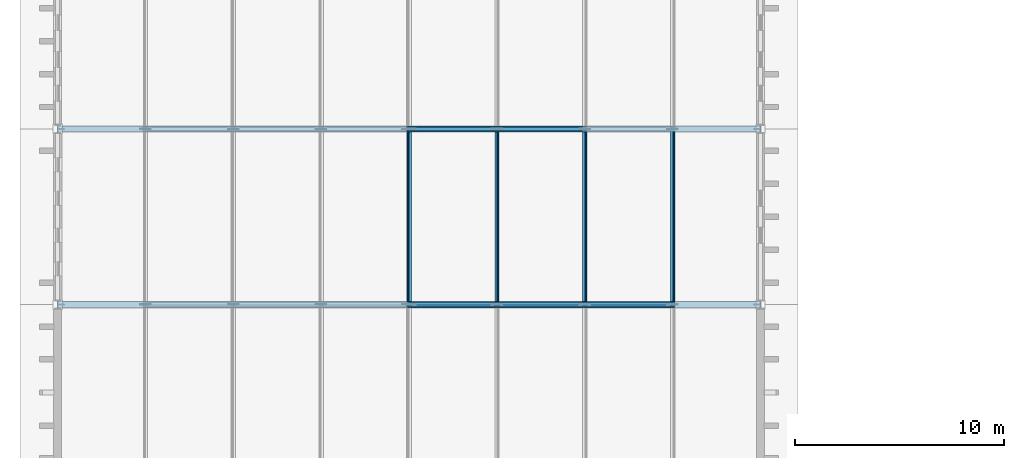
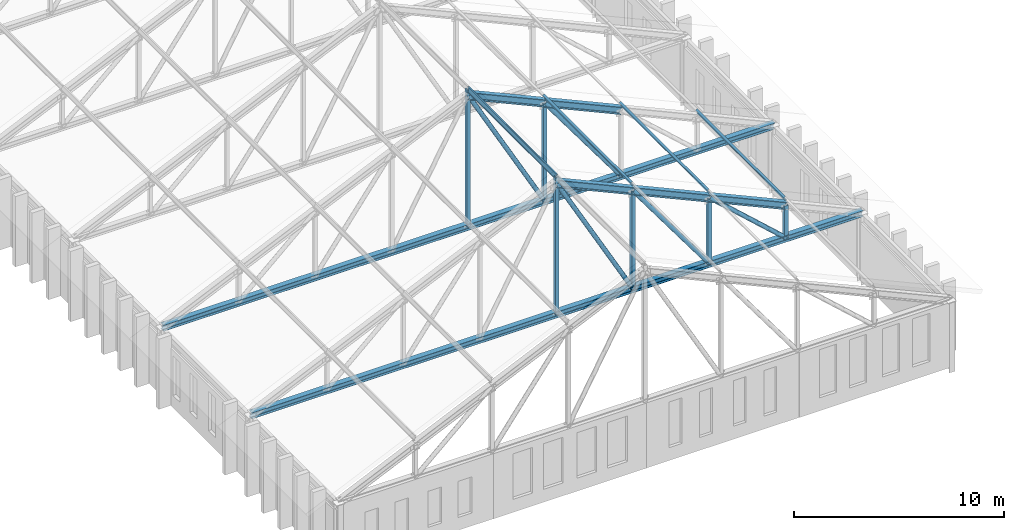
# One storey, part 8 of 110: 22 members.
"""IFC4 building model written with IfcOpenShell, lengths in metres."""

from ifc_helpers import new_model, si_unit, direction, frame, origin, origin_2d, place, context, subcontext, project, spatial, hollow_rectangle, hollow_circle, i_section, extrude, material, material_profile, profile_set, type_object, element, save


model = new_model("IFC4")

# Units and contexts
model_context = context("Model", 3, precision=1e-05, world=origin(), true_north=direction((0.0, 1.0)))
body_context = subcontext(model_context, "Body", "Model", "MODEL_VIEW")
ifc_project = project(units=[si_unit("LENGTHUNIT", "METRE"), si_unit("AREAUNIT", "SQUARE_METRE"), si_unit("VOLUMEUNIT", "CUBIC_METRE"), si_unit("PLANEANGLEUNIT", "RADIAN"), si_unit("MASSUNIT", "GRAM", prefix="KILO")], contexts=[model_context])

# Site, building, storey
site_placement = place(None, origin())
site = spatial("IfcSite", under=ifc_project, at=site_placement, CompositionType="ELEMENT")
building_placement = place(site_placement, origin())
building = spatial("IfcBuilding", under=site, at=building_placement, Name="Kveldsbrygga Polytechnic", CompositionType="ELEMENT")
storey_placement = place(building_placement, frame((0.0, 0.0, 9.860107421875)))
storey = spatial("IfcBuildingStorey", under=building, at=storey_placement, Name="L02", CompositionType="ELEMENT", Elevation=9.860107421875)

# Members
ifc_material = material(Name="Steel S355", Category="steel")
ifc_material_profile_1 = material_profile(ifc_material, i_section(OverallWidth=0.1201171875, OverallDepth=0.239990234375, WebThickness=0.006103515625, FlangeThickness=0.009765625, FilletRadius=0.014892578125, at=origin_2d()), Name="IPE 240")
ifc_profile_set_1 = profile_set([ifc_material_profile_1], Name="Steel S355")
member_type_1 = type_object("IfcMemberType", Name="PRL-IPE240", PredefinedType="PURLIN", material=ifc_profile_set_1)
for number, where, z_axis, x_axis, name in (
    (1, (16.800048828125, 33.60009765625, 11.731201171875), (0.0, 1.0, 0.0), (-0.911107850446, 0.0, 0.41216802988), "Roof Purlin V1W-PRL-2-4"),
    (2, (21.0, 33.60009765625, 9.8310546875), (0.0, 1.0, 0.0), (-0.911107850446, 0.0, -0.41216802988), "Roof Purlin V1W-PRL-2-5"),
    (3, (25.199951171875, 33.60009765625, 7.93115234375), (0.0, 1.0, 0.0), (-0.911107850446, 0.0, -0.41216802988), "Roof Purlin V1W-PRL-2-6"),
    (4, (29.39990234375, 33.60009765625, 6.031005859375), (0.0, 1.0, 0.0), (-0.911107850446, 0.0, -0.41216802988), "Roof Purlin V1W-PRL-2-7"),
):
    element("IfcMember", number, at=place(storey_placement, frame(where, z_axis=z_axis, x_axis=x_axis)), inside=storey, type_object=member_type_1, Name=name, PredefinedType="PURLIN", context=body_context, shape_type="SweptSolid", body=[
        extrude(i_section(OverallWidth=0.1201171875, OverallDepth=0.239990234375, WebThickness=0.006103515625, FlangeThickness=0.009765625, FilletRadius=0.014892578125, at=origin_2d()), origin(), (0.0, 0.0, 1.0), 8.39990234375),
    ])
ifc_material_profile_2 = material_profile(ifc_material, i_section(OverallWidth=0.300048828125, OverallDepth=0.35009765625, WebThickness=0.010009765625, FlangeThickness=0.017578125, FilletRadius=0.027099609375, at=origin_2d()), Name="HEA 360")
ifc_profile_set_2 = profile_set([ifc_material_profile_2], Name="Steel S355")
member_type_2 = type_object("IfcMemberType", Name="TR-BOT-HEA360", PredefinedType="CHORD", material=ifc_profile_set_2)
for number, where, z_axis, x_axis, name in (
    (5, (0.0, 33.60009765625, 3.77978515625), (1.0, 0.0, 0.0), (0.0, 1.0, 0.0), "Truss Bottom Chord V1W-T02-BC-1"),
    (6, (0.0, 42.0, 3.77978515625), (1.0, 0.0, 0.0), (0.0, 1.0, 0.0), "Truss Bottom Chord V1W-T03-BC-1"),
):
    element("IfcMember", number, at=place(storey_placement, frame(where, z_axis=z_axis, x_axis=x_axis)), inside=storey, type_object=member_type_2, Name=name, PredefinedType="CHORD", context=body_context, shape_type="SweptSolid", body=[
        extrude(i_section(OverallWidth=0.300048828125, OverallDepth=0.35009765625, WebThickness=0.010009765625, FlangeThickness=0.017578125, FilletRadius=0.027099609375, at=origin_2d()), origin(), (0.0, 0.0, 1.0), 33.60009765625),
    ])
ifc_material_profile_3 = material_profile(ifc_material, hollow_circle(Radius=0.122314453125, WallThickness=0.012451171875, at=origin_2d()), Name="CHS 244.5x12.5")
ifc_profile_set_3 = profile_set([ifc_material_profile_3], Name="Steel S355")
member_type_3 = type_object("IfcMemberType", Name="TR-DIAG-CHS245", PredefinedType="BRACE", material=ifc_profile_set_3)
member_1_placement = place(storey_placement, frame((16.800048828125, 33.60009765625, 11.3798828125), z_axis=(0.483677042996, 0.0, -0.875246547025), x_axis=(0.0, 1.0, 0.0)))
element("IfcMember", 7, at=member_1_placement, inside=storey, type_object=member_type_3, Name="Truss Diagonal V1W-T02-DG-5", PredefinedType="BRACE", context=body_context, shape_type="SweptSolid", body=[
    extrude(hollow_circle(Radius=0.122314453125, WallThickness=0.012451171875, at=origin_2d()), origin(), (0.0, 0.0, 1.0), 8.683349609375),
])
member_2_placement = place(storey_placement, frame((21.0, 33.60009765625, 9.47998046875), z_axis=(0.593181394885, 0.0, -0.805068837282), x_axis=(0.0, 1.0, 0.0)))
element("IfcMember", 8, at=member_2_placement, inside=storey, type_object=member_type_3, Name="Truss Diagonal V1W-T02-DG-6", PredefinedType="BRACE", context=body_context, shape_type="SweptSolid", body=[
    extrude(hollow_circle(Radius=0.122314453125, WallThickness=0.012451171875, at=origin_2d()), origin(), (0.0, 0.0, 1.0), 7.080322265625),
])
member_3_placement = place(storey_placement, frame((25.199951171875, 33.60009765625, 7.579833984375), z_axis=(0.741527609628, 0.0, -0.670922353302), x_axis=(0.0, 1.0, 0.0)))
element("IfcMember", 9, at=member_3_placement, inside=storey, type_object=member_type_3, Name="Truss Diagonal V1W-T02-DG-7", PredefinedType="BRACE", context=body_context, shape_type="SweptSolid", body=[
    extrude(hollow_circle(Radius=0.122314453125, WallThickness=0.012451171875, at=origin_2d()), origin(), (0.0, 0.0, 1.0), 5.663818359375),
])
member_4_placement = place(storey_placement, frame((16.800048828125, 42.0, 11.3798828125), z_axis=(0.483677042996, 0.0, -0.875246547025), x_axis=(0.0, 1.0, 0.0)))
element("IfcMember", 10, at=member_4_placement, inside=storey, type_object=member_type_3, Name="Truss Diagonal V1W-T03-DG-5", PredefinedType="BRACE", context=body_context, shape_type="SweptSolid", body=[
    extrude(hollow_circle(Radius=0.122314453125, WallThickness=0.012451171875, at=origin_2d()), origin(), (0.0, 0.0, 1.0), 8.683349609375),
])
member_5_placement = place(storey_placement, frame((21.0, 42.0, 9.47998046875), z_axis=(0.593181394885, 0.0, -0.805068837282), x_axis=(0.0, 1.0, 0.0)))
element("IfcMember", 11, at=member_5_placement, inside=storey, type_object=member_type_3, Name="Truss Diagonal V1W-T03-DG-6", PredefinedType="BRACE", context=body_context, shape_type="SweptSolid", body=[
    extrude(hollow_circle(Radius=0.122314453125, WallThickness=0.012451171875, at=origin_2d()), origin(), (0.0, 0.0, 1.0), 7.080322265625),
])
ifc_material_profile_4 = material_profile(ifc_material, hollow_rectangle(XDim=0.199951171875, YDim=0.199951171875, WallThickness=0.012451171875, at=origin_2d()), Name="SHS 200x200x12.5")
ifc_profile_set_4 = profile_set([ifc_material_profile_4], Name="Steel S355")
member_type_4 = type_object("IfcMemberType", Name="TR-POST-SHS200", PredefinedType="STRUT", material=ifc_profile_set_4)
member_6_placement = place(storey_placement, frame((16.800048828125, 33.60009765625, 3.77978515625), z_axis=(0.0, 0.0, 1.0), x_axis=(1.0, 0.0, 0.0)))
element("IfcMember", 12, at=member_6_placement, inside=storey, type_object=member_type_4, Name="Truss Vertical V1W-T02-VT-4", PredefinedType="STRUT", context=body_context, shape_type="SweptSolid", body=[
    extrude(hollow_rectangle(XDim=0.199951171875, YDim=0.199951171875, WallThickness=0.012451171875, at=origin_2d()), origin(), (0.0, 0.0, 1.0), 7.951416015625),
])
member_7_placement = place(storey_placement, frame((21.0, 33.60009765625, 3.77978515625), z_axis=(0.0, 0.0, 1.0), x_axis=(1.0, 0.0, 0.0)))
element("IfcMember", 13, at=member_7_placement, inside=storey, type_object=member_type_4, Name="Truss Vertical V1W-T02-VT-5", PredefinedType="STRUT", context=body_context, shape_type="SweptSolid", body=[
    extrude(hollow_rectangle(XDim=0.199951171875, YDim=0.199951171875, WallThickness=0.012451171875, at=origin_2d()), origin(), (0.0, 0.0, 1.0), 5.7001953125),
])
member_8_placement = place(storey_placement, frame((25.199951171875, 33.60009765625, 3.77978515625), z_axis=(0.0, 0.0, 1.0), x_axis=(1.0, 0.0, 0.0)))
element("IfcMember", 14, at=member_8_placement, inside=storey, type_object=member_type_4, Name="Truss Vertical V1W-T02-VT-6", PredefinedType="STRUT", context=body_context, shape_type="SweptSolid", body=[
    extrude(hollow_rectangle(XDim=0.199951171875, YDim=0.199951171875, WallThickness=0.012451171875, at=origin_2d()), origin(), (0.0, 0.0, 1.0), 3.800048828125),
])
member_9_placement = place(storey_placement, frame((29.39990234375, 33.60009765625, 3.77978515625), z_axis=(0.0, 0.0, 1.0), x_axis=(1.0, 0.0, 0.0)))
element("IfcMember", 15, at=member_9_placement, inside=storey, type_object=member_type_4, Name="Truss Vertical V1W-T02-VT-7", PredefinedType="STRUT", context=body_context, shape_type="SweptSolid", body=[
    extrude(hollow_rectangle(XDim=0.199951171875, YDim=0.199951171875, WallThickness=0.012451171875, at=origin_2d()), origin(), (0.0, 0.0, 1.0), 1.900146484375),
])
member_10_placement = place(storey_placement, frame((16.800048828125, 42.0, 3.77978515625), z_axis=(0.0, 0.0, 1.0), x_axis=(1.0, 0.0, 0.0)))
element("IfcMember", 16, at=member_10_placement, inside=storey, type_object=member_type_4, Name="Truss Vertical V1W-T03-VT-4", PredefinedType="STRUT", context=body_context, shape_type="SweptSolid", body=[
    extrude(hollow_rectangle(XDim=0.199951171875, YDim=0.199951171875, WallThickness=0.012451171875, at=origin_2d()), origin(), (0.0, 0.0, 1.0), 7.951416015625),
])
member_11_placement = place(storey_placement, frame((21.0, 42.0, 3.77978515625), z_axis=(0.0, 0.0, 1.0), x_axis=(1.0, 0.0, 0.0)))
element("IfcMember", 17, at=member_11_placement, inside=storey, type_object=member_type_4, Name="Truss Vertical V1W-T03-VT-5", PredefinedType="STRUT", context=body_context, shape_type="SweptSolid", body=[
    extrude(hollow_rectangle(XDim=0.199951171875, YDim=0.199951171875, WallThickness=0.012451171875, at=origin_2d()), origin(), (0.0, 0.0, 1.0), 5.7001953125),
])
ifc_material_profile_5 = material_profile(ifc_material, i_section(OverallWidth=0.300048828125, OverallDepth=0.39990234375, WebThickness=0.013427734375, FlangeThickness=0.02392578125, FilletRadius=0.027099609375, at=origin_2d()), Name="HEB 400")
ifc_profile_set_5 = profile_set([ifc_material_profile_5], Name="Steel S355")
member_type_5 = type_object("IfcMemberType", Name="TR-TOP-HEB400", PredefinedType="CHORD", material=ifc_profile_set_5)
member_12_placement = place(storey_placement, frame((16.800048828125, 33.60009765625, 11.3798828125), z_axis=(0.91111407885, 0.0, -0.41215426156), x_axis=(0.0, 1.0, 0.0)))
element("IfcMember", 18, at=member_12_placement, inside=storey, type_object=member_type_5, Name="Truss Top Chord V1W-T02-TC-5", PredefinedType="CHORD", context=body_context, shape_type="SweptSolid", body=[
    extrude(i_section(OverallWidth=0.300048828125, OverallDepth=0.39990234375, WebThickness=0.013427734375, FlangeThickness=0.02392578125, FilletRadius=0.027099609375, at=origin_2d()), origin(), (0.0, 0.0, 1.0), 4.609619140625),
])
member_13_placement = place(storey_placement, frame((21.0, 33.60009765625, 9.47998046875), z_axis=(0.911094189765, 0.0, -0.412198225829), x_axis=(0.0, 1.0, 0.0)))
element("IfcMember", 19, at=member_13_placement, inside=storey, type_object=member_type_5, Name="Truss Top Chord V1W-T02-TC-6", PredefinedType="CHORD", context=body_context, shape_type="SweptSolid", body=[
    extrude(i_section(OverallWidth=0.300048828125, OverallDepth=0.39990234375, WebThickness=0.013427734375, FlangeThickness=0.02392578125, FilletRadius=0.027099609375, at=origin_2d()), origin(), (0.0, 0.0, 1.0), 4.60986328125),
])
for number, where, z_axis, x_axis, name in (
    (20, (25.199951171875, 33.60009765625, 7.579833984375), (0.91111407885, 0.0, -0.41215426156), (0.0, 1.0, 0.0), "Truss Top Chord V1W-T02-TC-7"),
    (21, (16.800048828125, 42.0, 11.3798828125), (0.91111407885, 0.0, -0.41215426156), (0.0, 1.0, 0.0), "Truss Top Chord V1W-T03-TC-5"),
):
    element("IfcMember", number, at=place(storey_placement, frame(where, z_axis=z_axis, x_axis=x_axis)), inside=storey, type_object=member_type_5, Name=name, PredefinedType="CHORD", context=body_context, shape_type="SweptSolid", body=[
        extrude(i_section(OverallWidth=0.300048828125, OverallDepth=0.39990234375, WebThickness=0.013427734375, FlangeThickness=0.02392578125, FilletRadius=0.027099609375, at=origin_2d()), origin(), (0.0, 0.0, 1.0), 4.609619140625),
    ])
member_14_placement = place(storey_placement, frame((21.0, 42.0, 9.47998046875), z_axis=(0.911094189765, 0.0, -0.412198225829), x_axis=(0.0, 1.0, 0.0)))
element("IfcMember", 22, at=member_14_placement, inside=storey, type_object=member_type_5, Name="Truss Top Chord V1W-T03-TC-6", PredefinedType="CHORD", context=body_context, shape_type="SweptSolid", body=[
    extrude(i_section(OverallWidth=0.300048828125, OverallDepth=0.39990234375, WebThickness=0.013427734375, FlangeThickness=0.02392578125, FilletRadius=0.027099609375, at=origin_2d()), origin(), (0.0, 0.0, 1.0), 4.60986328125),
])

save(model, "model.ifc")
